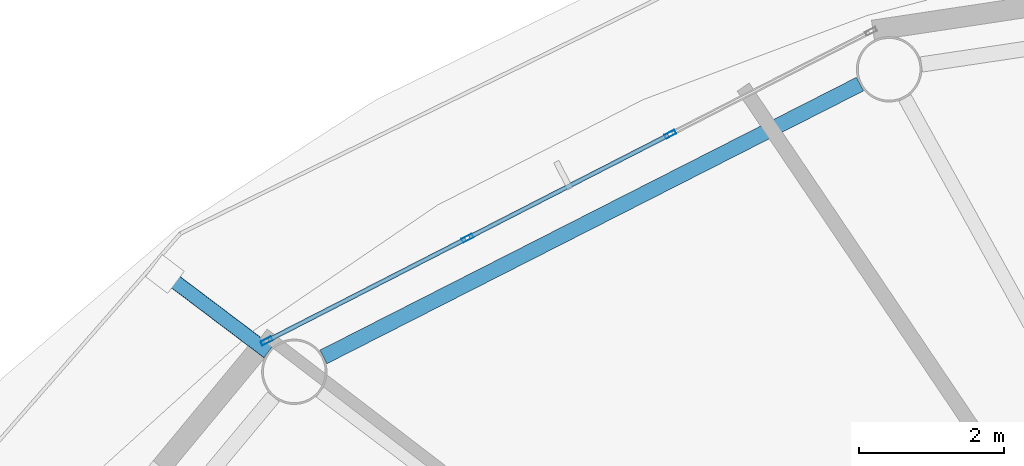
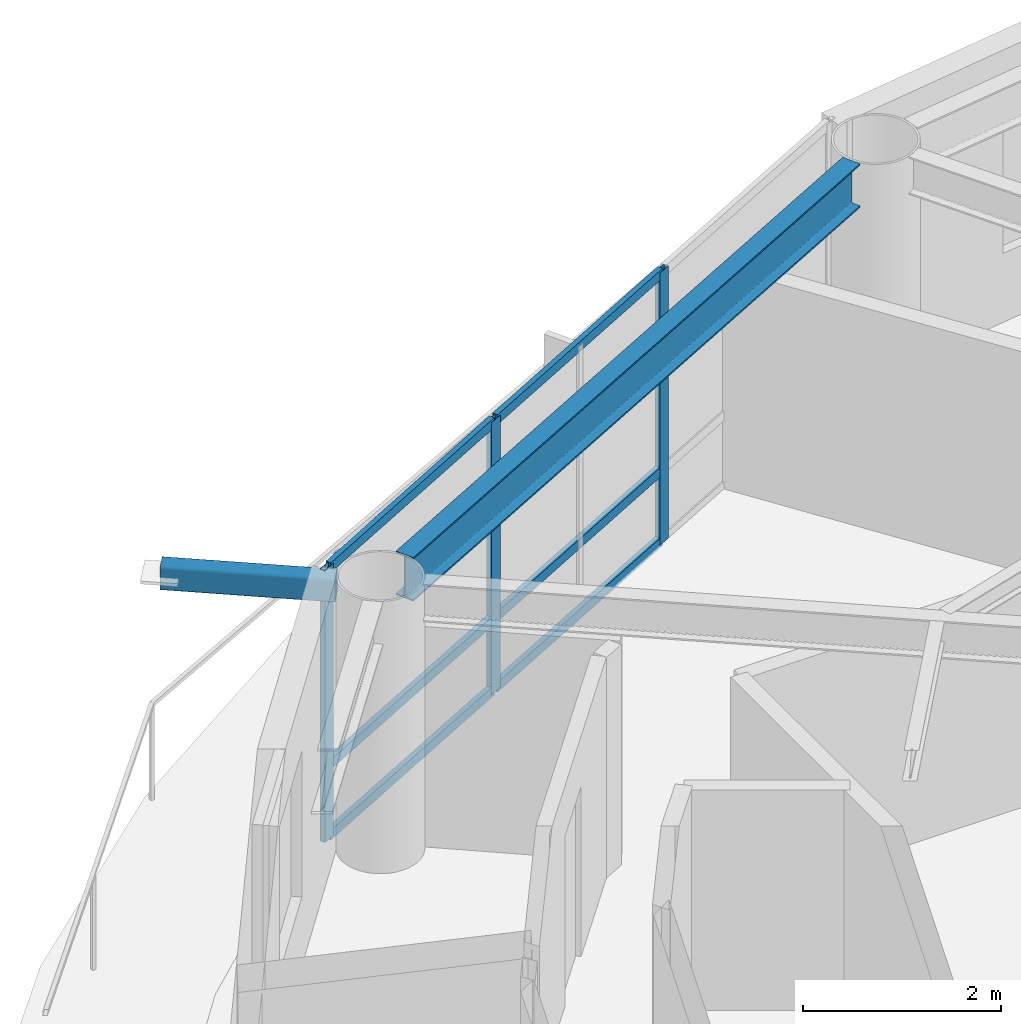
# One storey, part 8 of 22: 10 members, 1 beam, 1 element without a shape of its own.
"""IFC4 building model written with IfcOpenShell, lengths in metres."""

from ifc_helpers import new_model, si_unit, direction, frame, origin, origin_2d, place, context, subcontext, project, spatial, hollow_rectangle, i_section, extrude, material, layer, layer_set, material_profile, profile_set, type_object, element, aggregate, save


model = new_model("IFC4")

# Units and contexts
model_context = context("Model", 3, precision=1e-05, world=origin(), true_north=direction((0.0, 1.0)))
body_context = subcontext(model_context, "Body", "Model", "MODEL_VIEW")
ifc_project = project(units=[si_unit("LENGTHUNIT", "METRE"), si_unit("AREAUNIT", "SQUARE_METRE"), si_unit("VOLUMEUNIT", "CUBIC_METRE"), si_unit("PLANEANGLEUNIT", "RADIAN"), si_unit("MASSUNIT", "GRAM", prefix="KILO")], contexts=[model_context])

# Site, building, storey
site_placement = place(None, origin())
site = spatial("IfcSite", under=ifc_project, at=site_placement, CompositionType="ELEMENT")
building_placement = place(site_placement, origin())
building = spatial("IfcBuilding", under=site, at=building_placement, Name="Sarneth Arch Tower", CompositionType="ELEMENT")
storey_placement = place(building_placement, frame((0.0, 0.0, 213.60009765625)))
storey = spatial("IfcBuildingStorey", under=building, at=storey_placement, Name="L54", CompositionType="ELEMENT", Elevation=213.60009765625)

# Beam
ifc_material_1 = material(Name="Steel S355", Category="steel")
ifc_material_profile_1 = material_profile(ifc_material_1, i_section(OverallWidth=0.2109375, OverallDepth=0.5390625, WebThickness=0.01171875, FlangeThickness=0.018798828125, FilletRadius=0.01806640625, at=origin_2d()), Name="W530x109")
ifc_profile_set_1 = profile_set([ifc_material_profile_1], Name="Steel S355")
beam_type = type_object("IfcBeamType", Name="BM-RAD-530B", PredefinedType="BEAM", material=ifc_profile_set_1)
beam_placement = place(storey_placement, frame((37.80810546875, 59.534423828125, 3.09033203125), z_axis=(-0.891376248079, -0.453264144138, 0.0), x_axis=(0.453264144138, -0.891376248079, 0.0)))
element("IfcBeam", 1, at=beam_placement, inside=storey, type_object=beam_type, Name="L54 Perimeter spandrel beam 06", PredefinedType="BEAM", context=body_context, shape_type="SweptSolid", body=[
    extrude(i_section(OverallWidth=0.2109375, OverallDepth=0.5390625, WebThickness=0.01171875, FlangeThickness=0.018798828125, FilletRadius=0.01806640625, at=origin_2d()), origin(), (0.0, 0.0, 1.0), 8.281982421875),
])

# Curtain wall, members
ifc_material_2 = material(Name="Anodised aluminium Type AA25 and solar-control low-e laminated IGU", Category="aluminium")
ifc_layer = layer(ifc_material_2, 0.179931640625)
ifc_layer_set = layer_set([ifc_layer], Name="Anodised aluminium Type AA25 and solar-control low-e laminated IGU")
curtain_wall_type = type_object("IfcCurtainWallType", Name="CW-RES-HIGH", PredefinedType="NOTDEFINED", material=ifc_layer_set)
curtain_wall_placement = place(storey_placement, origin())
curtain_wall = element("IfcCurtainWall", 2, at=curtain_wall_placement, inside=storey, type_object=curtain_wall_type, Name="L54 Unitised curtain wall facet 06", PredefinedType="NOTDEFINED")
ifc_material_3 = material(Name="Anodised Aluminium 6063-T6", Category="aluminium")
ifc_material_profile_2 = material_profile(ifc_material_3, hollow_rectangle(XDim=0.06005859375, YDim=0.159912109375, WallThickness=0.00390625, at=origin_2d()), Name="AL-MULL-160x60x4")
ifc_profile_set_2 = profile_set([ifc_material_profile_2], Name="Anodised Aluminium 6063-T6")
member_type_1 = type_object("IfcMemberType", Name="CW-MULLION", PredefinedType="MULLION", material=ifc_profile_set_2)
member_1_placement = place(storey_placement, frame((35.197509765625, 58.844970703125, 0.0), z_axis=(0.0, 0.0, 1.0), x_axis=(0.455941901753, -0.890009540525, 0.0)))
member_1 = element("IfcMember", 3, at=member_1_placement, type_object=member_type_1, Name="CW-SYS-6 mullion 2", PredefinedType="MULLION", context=body_context, shape_type="SweptSolid", body=[
    extrude(hollow_rectangle(XDim=0.06005859375, YDim=0.159912109375, WallThickness=0.00390625, at=origin_2d()), origin(), (0.0, 0.0, 1.0), 3.35986328125),
])
member_2_placement = place(storey_placement, frame((32.407470703125, 57.415771484375, 0.0), z_axis=(0.0, 0.0, 1.0), x_axis=(0.455941901753, -0.890009540525, 0.0)))
member_2 = element("IfcMember", 4, at=member_2_placement, type_object=member_type_1, Name="CW-SYS-6 mullion 3", PredefinedType="MULLION", context=body_context, shape_type="SweptSolid", body=[
    extrude(hollow_rectangle(XDim=0.06005859375, YDim=0.159912109375, WallThickness=0.00390625, at=origin_2d()), origin(), (0.0, 0.0, 1.0), 3.35986328125),
])
member_3_placement = place(storey_placement, frame((29.644287109375, 56.000244140625, 0.0), z_axis=(0.0, 0.0, 1.0), x_axis=(0.455941901753, -0.890009540525, 0.0)))
member_3 = element("IfcMember", 5, at=member_3_placement, type_object=member_type_1, Name="CW-SYS-6 mullion 4", PredefinedType="MULLION", context=body_context, shape_type="SweptSolid", body=[
    extrude(hollow_rectangle(XDim=0.06005859375, YDim=0.159912109375, WallThickness=0.00390625, at=origin_2d()), origin(), (0.0, 0.0, 1.0), 3.35986328125),
])
ifc_material_4 = material(Name="Anodised Aluminium 6063-T6", Category="aluminium")
ifc_material_profile_3 = material_profile(ifc_material_4, hollow_rectangle(XDim=0.06005859375, YDim=0.1201171875, WallThickness=0.00390625, at=origin_2d()), Name="AL-TRAN-120x60x4")
ifc_profile_set_3 = profile_set([ifc_material_profile_3], Name="Anodised Aluminium 6063-T6")
member_type_2 = type_object("IfcMemberType", Name="CW-TRANSOM", PredefinedType="USERDEFINED", material=ifc_profile_set_3)
member_4_placement = place(storey_placement, frame((35.170654296875, 58.831298828125, 0.02978515625), z_axis=(-0.890017432405, -0.455926496286, 0.0), x_axis=(0.455926496286, -0.890017432405, 0.0)))
member_4 = element("IfcMember", 6, at=member_4_placement, type_object=member_type_2, Name="CW-SYS-6 transom 2.1", ObjectType="TRANSOM", PredefinedType="USERDEFINED", context=body_context, shape_type="SweptSolid", body=[
    extrude(hollow_rectangle(XDim=0.06005859375, YDim=0.1201171875, WallThickness=0.00390625, at=origin_2d()), origin(), (0.0, 0.0, 1.0), 3.07470703125),
])
member_5_placement = place(storey_placement, frame((35.170654296875, 58.831298828125, 0.89990234375), z_axis=(-0.890017432405, -0.455926496286, 0.0), x_axis=(0.455926496286, -0.890017432405, 0.0)))
member_5 = element("IfcMember", 7, at=member_5_placement, type_object=member_type_2, Name="CW-SYS-6 transom 2.2", ObjectType="TRANSOM", PredefinedType="USERDEFINED", context=body_context, shape_type="SweptSolid", body=[
    extrude(hollow_rectangle(XDim=0.06005859375, YDim=0.1201171875, WallThickness=0.00390625, at=origin_2d()), origin(), (0.0, 0.0, 1.0), 3.07470703125),
])
member_6_placement = place(storey_placement, frame((35.170654296875, 58.831298828125, 3.329833984375), z_axis=(-0.890017432405, -0.455926496286, 0.0), x_axis=(0.455926496286, -0.890017432405, 0.0)))
member_6 = element("IfcMember", 8, at=member_6_placement, type_object=member_type_2, Name="CW-SYS-6 transom 2.3", ObjectType="TRANSOM", PredefinedType="USERDEFINED", context=body_context, shape_type="SweptSolid", body=[
    extrude(hollow_rectangle(XDim=0.06005859375, YDim=0.1201171875, WallThickness=0.00390625, at=origin_2d()), origin(), (0.0, 0.0, 1.0), 3.07470703125),
])
member_7_placement = place(storey_placement, frame((32.380859375, 57.402099609375, 0.02978515625), z_axis=(-0.890022732705, -0.455916149384, 0.0), x_axis=(0.455916149384, -0.890022732705, 0.0)))
member_7 = element("IfcMember", 9, at=member_7_placement, type_object=member_type_2, Name="CW-SYS-6 transom 3.1", ObjectType="TRANSOM", PredefinedType="USERDEFINED", context=body_context, shape_type="SweptSolid", body=[
    extrude(hollow_rectangle(XDim=0.06005859375, YDim=0.1201171875, WallThickness=0.00390625, at=origin_2d()), origin(), (0.0, 0.0, 1.0), 3.044921875),
])
member_8_placement = place(storey_placement, frame((32.380859375, 57.402099609375, 0.89990234375), z_axis=(-0.890022732705, -0.455916149384, 0.0), x_axis=(0.455916149384, -0.890022732705, 0.0)))
member_8 = element("IfcMember", 10, at=member_8_placement, type_object=member_type_2, Name="CW-SYS-6 transom 3.2", ObjectType="TRANSOM", PredefinedType="USERDEFINED", context=body_context, shape_type="SweptSolid", body=[
    extrude(hollow_rectangle(XDim=0.06005859375, YDim=0.1201171875, WallThickness=0.00390625, at=origin_2d()), origin(), (0.0, 0.0, 1.0), 3.044921875),
])
member_9_placement = place(storey_placement, frame((32.380859375, 57.402099609375, 3.329833984375), z_axis=(-0.890022732705, -0.455916149384, 0.0), x_axis=(0.455916149384, -0.890022732705, 0.0)))
member_9 = element("IfcMember", 11, at=member_9_placement, type_object=member_type_2, Name="CW-SYS-6 transom 3.3", ObjectType="TRANSOM", PredefinedType="USERDEFINED", context=body_context, shape_type="SweptSolid", body=[
    extrude(hollow_rectangle(XDim=0.06005859375, YDim=0.1201171875, WallThickness=0.00390625, at=origin_2d()), origin(), (0.0, 0.0, 1.0), 3.044921875),
])
aggregate(curtain_wall, [member_1, member_2, member_3, member_4, member_5, member_6, member_7, member_8, member_9])

# Member
ifc_material_5 = material(Name="Steel S355", Category="steel")
ifc_material_profile_4 = material_profile(ifc_material_5, hollow_rectangle(XDim=0.199951171875, YDim=0.300048828125, WallThickness=0.012451171875, InnerFilletRadius=0.018798828125, OuterFilletRadius=0.03125, at=origin_2d()), Name="RHS300x200x12.5")
ifc_profile_set_4 = profile_set([ifc_material_profile_4], Name="Steel S355")
member_type_3 = type_object("IfcMemberType", Name="MEM-CANT-STRUT", PredefinedType="STRUT", material=ifc_profile_set_4)
member_10_placement = place(storey_placement, frame((29.665771484375, 55.84765625, 3.199951171875), z_axis=(-0.797939111492, 0.602738064462, 0.0), x_axis=(-0.602738064462, -0.797939111492, 0.0)))
element("IfcMember", 12, at=member_10_placement, inside=storey, type_object=member_type_3, Name="L54 Balcony cantilever bracket 07", PredefinedType="STRUT", context=body_context, shape_type="SweptSolid", body=[
    extrude(hollow_rectangle(XDim=0.199951171875, YDim=0.300048828125, WallThickness=0.012451171875, InnerFilletRadius=0.018798828125, OuterFilletRadius=0.03125, at=origin_2d()), origin(), (0.0, 0.0, 1.0), 1.781005859375),
])

save(model, "model.ifc")
